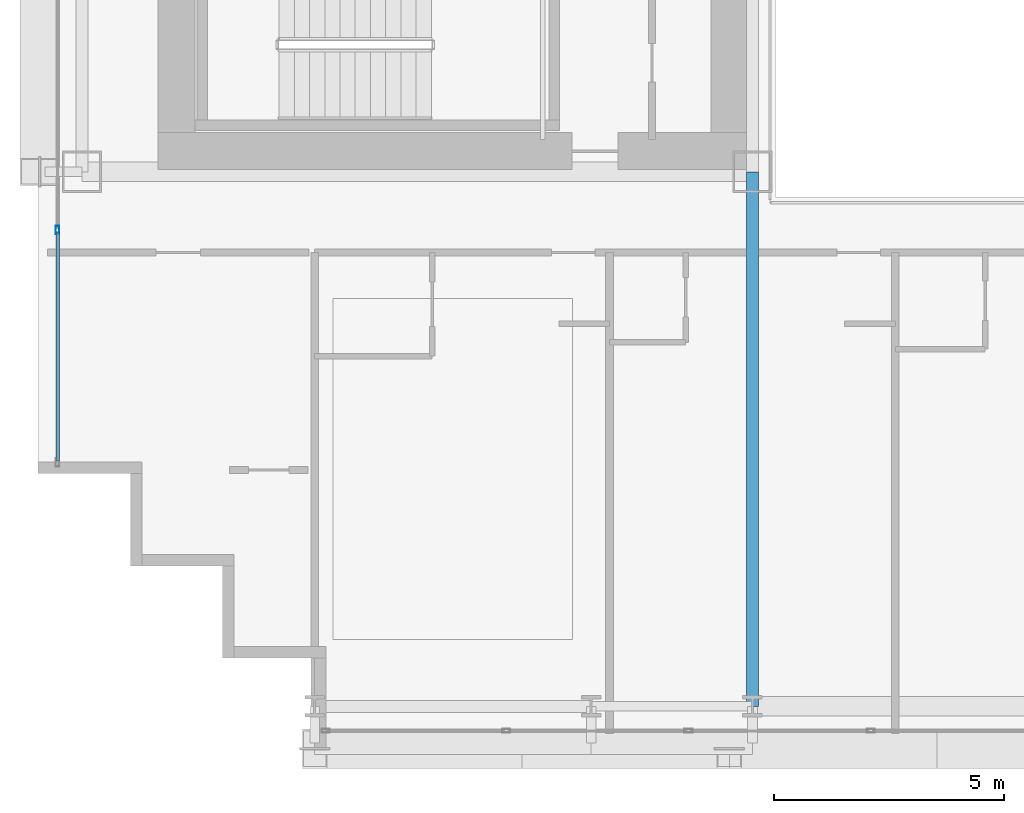
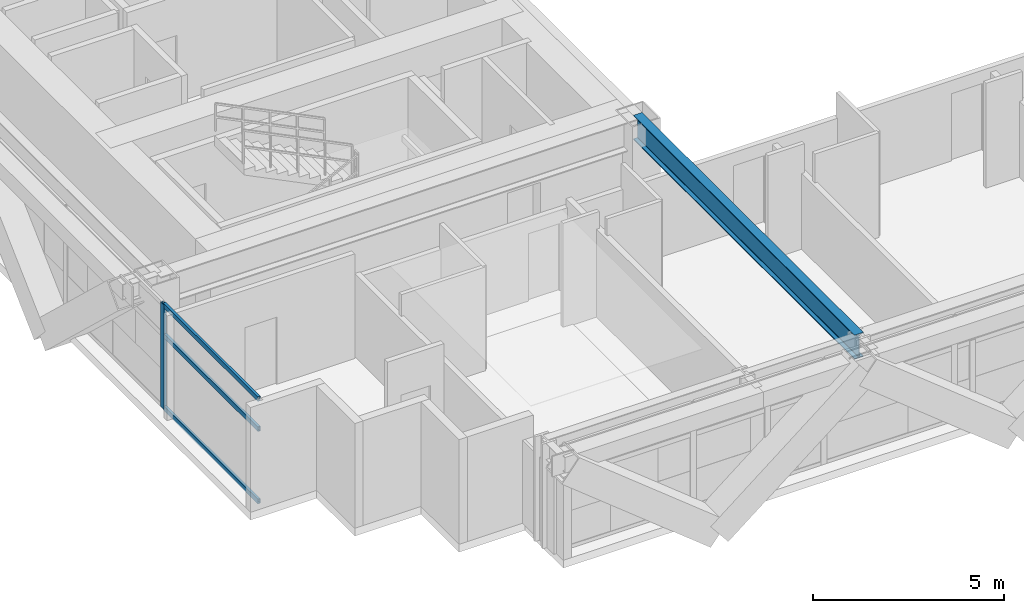
# One storey, part 3 of 38: 4 members, 1 beam, 1 element without a shape of its own.
"""IFC4 building model written with IfcOpenShell, lengths in metres."""

from ifc_helpers import new_model, si_unit, direction, frame, origin, origin_2d, place, context, subcontext, project, spatial, hollow_rectangle, i_section, extrude, source, transform, mapped, material, layer, layer_set, material_profile, profile_set, type_object, element, aggregate, save


model = new_model("IFC4")

# Units and contexts
model_context = context("Model", 3, precision=1e-05, world=origin(), true_north=direction((0.0, 1.0)))
body_context = subcontext(model_context, "Body", "Model", "MODEL_VIEW")
ifc_project = project(units=[si_unit("LENGTHUNIT", "METRE"), si_unit("AREAUNIT", "SQUARE_METRE"), si_unit("VOLUMEUNIT", "CUBIC_METRE"), si_unit("PLANEANGLEUNIT", "RADIAN"), si_unit("MASSUNIT", "GRAM", prefix="KILO")], contexts=[model_context])

# Site, building, storey
site_placement = place(None, origin())
site = spatial("IfcSite", under=ifc_project, at=site_placement, CompositionType="ELEMENT")
building_placement = place(site_placement, origin())
building = spatial("IfcBuilding", under=site, at=building_placement, Name="Ocotamira Hotel", CompositionType="ELEMENT")
storey_placement = place(building_placement, frame((0.0, 0.0, 45.60009765625)))
storey = spatial("IfcBuildingStorey", under=building, at=storey_placement, Name="L10", CompositionType="ELEMENT", Elevation=45.60009765625)

# Beam
ifc_material_1 = material(Name="Steel ASTM A992 Grade 50", Category="steel")
ifc_material_profile_1 = material_profile(ifc_material_1, i_section(OverallWidth=0.26611328125, OverallDepth=0.779052734375, WebThickness=0.0166015625, FlangeThickness=0.030029296875, FilletRadius=0.01806640625, at=origin_2d()), Name="W30X148")
ifc_profile_set_1 = profile_set([ifc_material_profile_1], Name="Steel ASTM A992 Grade 50")
beam_type = type_object("IfcBeamType", Name="BM-GIRD-W30X148", PredefinedType="BEAM", material=ifc_profile_set_1)
shared_shape_1 = source(origin(), body_context, "Body", "SweptSolid", [
    extrude(i_section(OverallWidth=0.26611328125, OverallDepth=0.779052734375, WebThickness=0.0166015625, FlangeThickness=0.030029296875, FilletRadius=0.01806640625, at=origin_2d()), origin(), (0.0, 0.0, 1.0), 11.60009765625),
])
beam_placement = place(storey_placement, frame((23.5, 2.949951171875, 2.96044921875), z_axis=(0.0, 1.0, 0.0), x_axis=(-1.0, 0.0, 0.0)))
element("IfcBeam", 1, at=beam_placement, inside=storey, type_object=beam_type, Name="L10 Beam X23.5 Y2.95-14.55", PredefinedType="BEAM", context=body_context, shape_type="MappedRepresentation", body=[
    mapped(shared_shape_1, transform((0.0, 0.0, 0.0), scale=1.0)),
])

# Curtain wall, members
ifc_material_2 = material(Name="Anodised pale-metal aluminium and solar glass", Category="aluminium")
ifc_layer = layer(ifc_material_2, 0.179931640625)
ifc_layer_set = layer_set([ifc_layer], Name="Anodised pale-metal aluminium and solar glass")
curtain_wall_type = type_object("IfcCurtainWallType", Name="CW-SYS2-Z1", PredefinedType="NOTDEFINED", material=ifc_layer_set)
curtain_wall_placement = place(storey_placement, origin())
curtain_wall = element("IfcCurtainWall", 2, at=curtain_wall_placement, inside=storey, type_object=curtain_wall_type, Name="L10 Curtain Wall CW-2 CW-L10-W", PredefinedType="NOTDEFINED")
ifc_material_3 = material(Name="Anodised pale-metal aluminium 6063-T6", Category="aluminium")
ifc_material_profile_2 = material_profile(ifc_material_3, hollow_rectangle(XDim=0.080078125, YDim=0.179931640625, WallThickness=0.006103515625, at=origin_2d()), Name="HSS180X80X6")
ifc_profile_set_2 = profile_set([ifc_material_profile_2], Name="Anodised pale-metal aluminium 6063-T6")
member_type_1 = type_object("IfcMemberType", Name="CWM-180X75", PredefinedType="MULLION", material=ifc_profile_set_2)
shared_shape_2 = source(origin(), body_context, "Body", "SweptSolid", [
    extrude(hollow_rectangle(XDim=0.080078125, YDim=0.179931640625, WallThickness=0.006103515625, at=origin_2d()), origin(), (0.0, 0.0, 1.0), 3.349853515625),
])
member_1_placement = place(storey_placement, frame((8.419921875, 13.28564453125, 0.0), z_axis=(0.0, 0.0, 1.0), x_axis=(-1.0, 0.0, 0.0)))
member_1 = element("IfcMember", 3, at=member_1_placement, type_object=member_type_1, Name="CW-2 mullion 2", PredefinedType="MULLION", context=body_context, shape_type="MappedRepresentation", body=[
    mapped(shared_shape_2, transform((0.0, 0.0, 0.0), scale=1.0)),
])
ifc_material_profile_3 = material_profile(ifc_material_3, hollow_rectangle(XDim=0.074951171875, YDim=0.14990234375, WallThickness=0.006103515625, at=origin_2d()), Name="HSS150X75X6")
ifc_profile_set_3 = profile_set([ifc_material_profile_3], Name="Anodised pale-metal aluminium 6063-T6")
member_type_2 = type_object("IfcMemberType", Name="CWT-150X75", PredefinedType="USERDEFINED", material=ifc_profile_set_3)
shared_shape_3 = source(origin(), body_context, "Body", "SweptSolid", [
    extrude(hollow_rectangle(XDim=0.074951171875, YDim=0.14990234375, WallThickness=0.006103515625, at=origin_2d()), origin(), (0.0, 0.0, 1.0), 4.965576171875),
])
member_2_placement = place(storey_placement, frame((8.419921875, 8.280029296875, 0.037353515625), z_axis=(0.0, 1.0, 0.0), x_axis=(-1.0, 0.0, 0.0)))
member_2 = element("IfcMember", 4, at=member_2_placement, type_object=member_type_2, Name="CW-2 transom 1.1", ObjectType="TRANSOM", PredefinedType="USERDEFINED", context=body_context, shape_type="MappedRepresentation", body=[
    mapped(shared_shape_3, transform((0.0, 0.0, 0.0), scale=1.0)),
])
member_3_placement = place(storey_placement, frame((8.419921875, 8.280029296875, 2.349853515625), z_axis=(0.0, 1.0, 0.0), x_axis=(-1.0, 0.0, 0.0)))
member_3 = element("IfcMember", 5, at=member_3_placement, type_object=member_type_2, Name="CW-2 transom 1.2", ObjectType="TRANSOM", PredefinedType="USERDEFINED", context=body_context, shape_type="MappedRepresentation", body=[
    mapped(shared_shape_3, transform((0.0, 0.0, 0.0), scale=1.0)),
])
member_4_placement = place(storey_placement, frame((8.419921875, 8.280029296875, 3.3125), z_axis=(0.0, 1.0, 0.0), x_axis=(-1.0, 0.0, 0.0)))
member_4 = element("IfcMember", 6, at=member_4_placement, type_object=member_type_2, Name="CW-2 transom 1.3", ObjectType="TRANSOM", PredefinedType="USERDEFINED", context=body_context, shape_type="MappedRepresentation", body=[
    mapped(shared_shape_3, transform((0.0, 0.0, 0.0), scale=1.0)),
])
aggregate(curtain_wall, [member_1, member_2, member_3, member_4])

save(model, "model.ifc")
